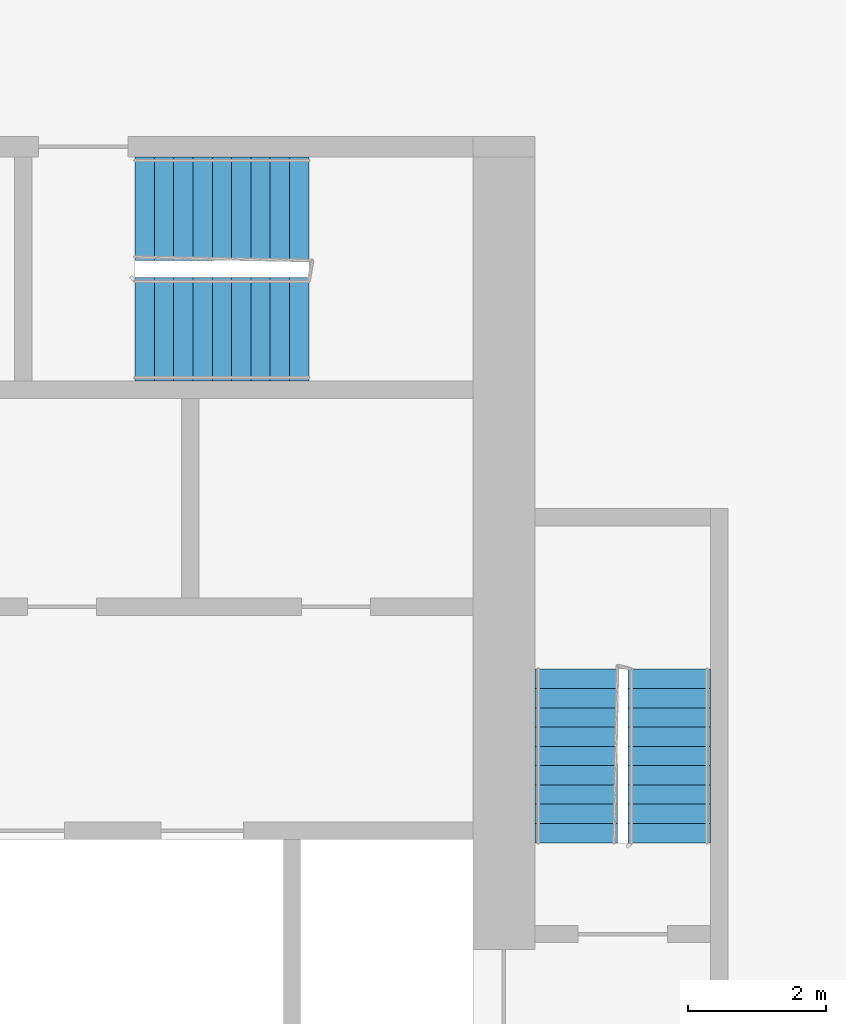
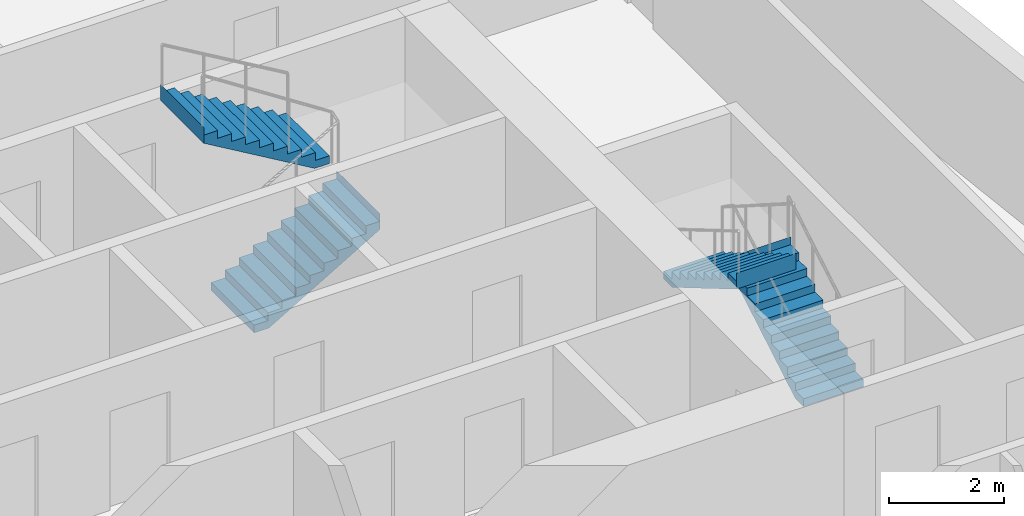
# One storey, part 11 of 12: 4 stair flights, 2 elements without a shape of their own.
"""IFC4 building model written with IfcOpenShell, lengths in metres."""

from ifc_helpers import new_model, si_unit, direction, frame, origin, place, context, subcontext, project, spatial, faceted_brep, material, type_object, element, aggregate, save


model = new_model("IFC4")

# Units and contexts
model_context = context("Model", 3, precision=1e-05, world=origin(), true_north=direction((0.0, 1.0)))
body_context = subcontext(model_context, "Body", "Model", "MODEL_VIEW")
ifc_project = project(units=[si_unit("LENGTHUNIT", "METRE"), si_unit("AREAUNIT", "SQUARE_METRE"), si_unit("VOLUMEUNIT", "CUBIC_METRE"), si_unit("PLANEANGLEUNIT", "RADIAN"), si_unit("MASSUNIT", "GRAM", prefix="KILO")], contexts=[model_context])

# Site, building, storey
site_placement = place(None, origin())
site = spatial("IfcSite", under=ifc_project, at=site_placement, CompositionType="ELEMENT")
building_placement = place(site_placement, origin())
building = spatial("IfcBuilding", under=site, at=building_placement, Name="Kajstack Hotel Tower", CompositionType="ELEMENT")
storey_placement = place(building_placement, frame((0.0, 0.0, 183.39990234375)))
storey = spatial("IfcBuildingStorey", under=building, at=storey_placement, Name="L43", CompositionType="ELEMENT", Elevation=183.39990234375)

# Stair, stair flights
ifc_material = material(Name="Concrete C40/50", Category="concrete")
stair_type_1 = type_object("IfcStairType", Name="Exit stair 1200", PredefinedType="HALF_TURN_STAIR", material=ifc_material)
stair_1_placement = place(storey_placement, origin())
stair_1 = element("IfcStair", 1, at=stair_1_placement, inside=storey, type_object=stair_type_1, Name="L43 stair E1", PredefinedType="HALF_TURN_STAIR")
stair_flight_type_1 = type_object("IfcStairFlightType", Name="Exit stair flight 1200", PredefinedType="STRAIGHT", material=ifc_material)
stair_flight_1_placement = place(storey_placement, frame((33.449951171875, 5.25, 0.0), z_axis=(0.0, 0.0, 1.0), x_axis=(0.0, 1.0, 0.0)))
stair_flight_1 = element("IfcStairFlight", 2, at=stair_flight_1_placement, type_object=stair_flight_type_1, Name="E1 flight 1", NumberOfRisers=10, NumberOfTreads=9, PredefinedType="STRAIGHT", RiserHeight=0.165, TreadLength=0.28, context=body_context, shape_type="Brep", body=[
    faceted_brep([(0.295654296875, -0.60009765625, 0.0), (2.5205078125, -0.60009765625, 1.31103515625), (2.5205078125, -0.60009765625, 1.64990234375), (2.52001953125, -0.60009765625, 1.64990234375), (2.52001953125, -0.60009765625, 1.485107421875), (2.239990234375, -0.60009765625, 1.485107421875), (2.239990234375, -0.60009765625, 1.320068359375), (1.9599609375, -0.60009765625, 1.320068359375), (1.9599609375, -0.60009765625, 1.155029296875), (1.679931640625, -0.60009765625, 1.155029296875), (1.679931640625, -0.60009765625, 0.989990234375), (1.39990234375, -0.60009765625, 0.989990234375), (1.39990234375, -0.60009765625, 0.824951171875), (1.1201171875, -0.60009765625, 0.824951171875), (1.1201171875, -0.60009765625, 0.659912109375), (0.840087890625, -0.60009765625, 0.659912109375), (0.840087890625, -0.60009765625, 0.4951171875), (0.56005859375, -0.60009765625, 0.4951171875), (0.56005859375, -0.60009765625, 0.330078125), (0.280029296875, -0.60009765625, 0.330078125), (0.280029296875, -0.60009765625, 0.1650390625), (-0.00048828125, -0.60009765625, 0.1650390625), (-0.00048828125, -0.60009765625, 0.0), (-0.00048828125, 0.60009765625, 0.0), (-0.00048828125, 0.60009765625, 0.1650390625), (0.280029296875, 0.60009765625, 0.1650390625), (0.280029296875, 0.60009765625, 0.330078125), (0.56005859375, 0.60009765625, 0.330078125), (0.56005859375, 0.60009765625, 0.4951171875), (0.840087890625, 0.60009765625, 0.4951171875), (0.840087890625, 0.60009765625, 0.659912109375), (1.1201171875, 0.60009765625, 0.659912109375), (1.1201171875, 0.60009765625, 0.824951171875), (1.39990234375, 0.60009765625, 0.824951171875), (1.39990234375, 0.60009765625, 0.989990234375), (1.679931640625, 0.60009765625, 0.989990234375), (1.679931640625, 0.60009765625, 1.155029296875), (1.9599609375, 0.60009765625, 1.155029296875), (1.9599609375, 0.60009765625, 1.320068359375), (2.239990234375, 0.60009765625, 1.320068359375), (2.239990234375, 0.60009765625, 1.485107421875), (2.52001953125, 0.60009765625, 1.485107421875), (2.52001953125, 0.60009765625, 1.64990234375), (2.5205078125, 0.60009765625, 1.64990234375), (2.5205078125, 0.60009765625, 1.31103515625), (0.295654296875, 0.60009765625, 0.0), (-0.00048828125, -0.300048828125, 0.1650390625), (-0.00048828125, 0.0, 0.1650390625), (-0.00048828125, 0.300048828125, 0.1650390625), (-0.00048828125, 0.300048828125, 0.0), (-0.00048828125, 0.0, 0.0), (-0.00048828125, -0.300048828125, 0.0), (0.280029296875, -0.300048828125, 0.1650390625), (0.280029296875, 0.0, 0.1650390625), (0.280029296875, 0.300048828125, 0.1650390625), (0.280029296875, -0.300048828125, 0.330078125), (0.280029296875, 0.0, 0.330078125), (0.280029296875, 0.300048828125, 0.330078125), (0.56005859375, -0.300048828125, 0.330078125), (0.56005859375, 0.0, 0.330078125), (0.56005859375, 0.300048828125, 0.330078125), (0.56005859375, -0.300048828125, 0.4951171875), (0.56005859375, 0.0, 0.4951171875), (0.56005859375, 0.300048828125, 0.4951171875), (0.840087890625, -0.300048828125, 0.4951171875), (0.840087890625, 0.0, 0.4951171875), (0.840087890625, 0.300048828125, 0.4951171875), (0.840087890625, -0.300048828125, 0.659912109375), (0.840087890625, 0.0, 0.659912109375), (0.840087890625, 0.300048828125, 0.659912109375), (1.1201171875, -0.300048828125, 0.659912109375), (1.1201171875, 0.0, 0.659912109375), (1.1201171875, 0.300048828125, 0.659912109375), (1.1201171875, -0.300048828125, 0.824951171875), (1.1201171875, 0.0, 0.824951171875), (1.1201171875, 0.300048828125, 0.824951171875), (1.39990234375, -0.300048828125, 0.824951171875), (1.39990234375, 0.0, 0.824951171875), (1.39990234375, 0.300048828125, 0.824951171875), (1.39990234375, -0.300048828125, 0.989990234375), (1.39990234375, 0.0, 0.989990234375), (1.39990234375, 0.300048828125, 0.989990234375), (1.679931640625, -0.300048828125, 0.989990234375), (1.679931640625, 0.0, 0.989990234375), (1.679931640625, 0.300048828125, 0.989990234375), (1.679931640625, -0.300048828125, 1.155029296875), (1.679931640625, 0.0, 1.155029296875), (1.679931640625, 0.300048828125, 1.155029296875), (1.9599609375, -0.300048828125, 1.155029296875), (1.9599609375, 0.0, 1.155029296875), (1.9599609375, 0.300048828125, 1.155029296875), (1.9599609375, -0.300048828125, 1.320068359375), (1.9599609375, 0.0, 1.320068359375), (1.9599609375, 0.300048828125, 1.320068359375), (2.239990234375, -0.300048828125, 1.320068359375), (2.239990234375, 0.0, 1.320068359375), (2.239990234375, 0.300048828125, 1.320068359375), (2.239990234375, -0.300048828125, 1.485107421875), (2.239990234375, 0.0, 1.485107421875), (2.239990234375, 0.300048828125, 1.485107421875), (2.52001953125, -0.300048828125, 1.485107421875), (2.52001953125, 0.0, 1.485107421875), (2.52001953125, 0.300048828125, 1.485107421875), (2.52001953125, -0.300048828125, 1.64990234375), (2.52001953125, 0.0, 1.64990234375), (2.52001953125, 0.300048828125, 1.64990234375), (2.5205078125, -0.300048828125, 1.64990234375), (2.5205078125, 0.0, 1.64990234375), (2.5205078125, 0.300048828125, 1.64990234375), (2.5205078125, -0.300048828125, 1.31103515625), (2.5205078125, 0.0, 1.31103515625), (2.5205078125, 0.300048828125, 1.31103515625), (0.295654296875, -0.300048828125, 0.0), (0.295654296875, 0.0, 0.0), (0.295654296875, 0.300048828125, 0.0)], [[[0, 1, 2, 3, 4, 5, 6, 7, 8, 9, 10, 11, 12, 13, 14, 15, 16, 17, 18, 19, 20, 21, 22]], [[23, 24, 25, 26, 27, 28, 29, 30, 31, 32, 33, 34, 35, 36, 37, 38, 39, 40, 41, 42, 43, 44, 45]], [[21, 46, 47, 48, 24, 23, 49, 50, 51, 22]], [[20, 52, 53, 54, 25, 24, 48, 47, 46, 21]], [[19, 55, 56, 57, 26, 25, 54, 53, 52, 20]], [[18, 58, 59, 60, 27, 26, 57, 56, 55, 19]], [[17, 61, 62, 63, 28, 27, 60, 59, 58, 18]], [[16, 64, 65, 66, 29, 28, 63, 62, 61, 17]], [[15, 67, 68, 69, 30, 29, 66, 65, 64, 16]], [[14, 70, 71, 72, 31, 30, 69, 68, 67, 15]], [[13, 73, 74, 75, 32, 31, 72, 71, 70, 14]], [[12, 76, 77, 78, 33, 32, 75, 74, 73, 13]], [[11, 79, 80, 81, 34, 33, 78, 77, 76, 12]], [[10, 82, 83, 84, 35, 34, 81, 80, 79, 11]], [[9, 85, 86, 87, 36, 35, 84, 83, 82, 10]], [[8, 88, 89, 90, 37, 36, 87, 86, 85, 9]], [[7, 91, 92, 93, 38, 37, 90, 89, 88, 8]], [[6, 94, 95, 96, 39, 38, 93, 92, 91, 7]], [[5, 97, 98, 99, 40, 39, 96, 95, 94, 6]], [[4, 100, 101, 102, 41, 40, 99, 98, 97, 5]], [[3, 103, 104, 105, 42, 41, 102, 101, 100, 4]], [[2, 106, 107, 108, 43, 42, 105, 104, 103, 3]], [[1, 109, 110, 111, 44, 43, 108, 107, 106, 2]], [[0, 112, 113, 114, 45, 44, 111, 110, 109, 1]], [[22, 51, 50, 49, 23, 45, 114, 113, 112, 0]]]),
])
stair_flight_2_placement = place(storey_placement, frame((32.10009765625, 7.77001953125, 1.650146484375), z_axis=(0.0, 0.0, 1.0), x_axis=(0.0, -1.0, 0.0)))
stair_flight_2 = element("IfcStairFlight", 3, at=stair_flight_2_placement, type_object=stair_flight_type_1, Name="E1 flight 2", NumberOfRisers=10, NumberOfTreads=9, PredefinedType="STRAIGHT", RiserHeight=0.165, TreadLength=0.28, context=body_context, shape_type="Brep", body=[
    faceted_brep([(0.295654296875, -0.60009765625, 0.0), (2.5205078125, -0.60009765625, 1.31103515625), (2.5205078125, -0.60009765625, 1.64990234375), (2.52001953125, -0.60009765625, 1.64990234375), (2.52001953125, -0.60009765625, 1.485107421875), (2.239990234375, -0.60009765625, 1.485107421875), (2.239990234375, -0.60009765625, 1.320068359375), (1.9599609375, -0.60009765625, 1.320068359375), (1.9599609375, -0.60009765625, 1.155029296875), (1.679931640625, -0.60009765625, 1.155029296875), (1.679931640625, -0.60009765625, 0.989990234375), (1.39990234375, -0.60009765625, 0.989990234375), (1.39990234375, -0.60009765625, 0.824951171875), (1.1201171875, -0.60009765625, 0.824951171875), (1.1201171875, -0.60009765625, 0.659912109375), (0.840087890625, -0.60009765625, 0.659912109375), (0.840087890625, -0.60009765625, 0.4951171875), (0.56005859375, -0.60009765625, 0.4951171875), (0.56005859375, -0.60009765625, 0.330078125), (0.280029296875, -0.60009765625, 0.330078125), (0.280029296875, -0.60009765625, 0.1650390625), (-0.00048828125, -0.60009765625, 0.1650390625), (-0.00048828125, -0.60009765625, 0.0), (-0.00048828125, 0.60009765625, 0.0), (-0.00048828125, 0.60009765625, 0.1650390625), (0.280029296875, 0.60009765625, 0.1650390625), (0.280029296875, 0.60009765625, 0.330078125), (0.56005859375, 0.60009765625, 0.330078125), (0.56005859375, 0.60009765625, 0.4951171875), (0.840087890625, 0.60009765625, 0.4951171875), (0.840087890625, 0.60009765625, 0.659912109375), (1.1201171875, 0.60009765625, 0.659912109375), (1.1201171875, 0.60009765625, 0.824951171875), (1.39990234375, 0.60009765625, 0.824951171875), (1.39990234375, 0.60009765625, 0.989990234375), (1.679931640625, 0.60009765625, 0.989990234375), (1.679931640625, 0.60009765625, 1.155029296875), (1.9599609375, 0.60009765625, 1.155029296875), (1.9599609375, 0.60009765625, 1.320068359375), (2.239990234375, 0.60009765625, 1.320068359375), (2.239990234375, 0.60009765625, 1.485107421875), (2.52001953125, 0.60009765625, 1.485107421875), (2.52001953125, 0.60009765625, 1.64990234375), (2.5205078125, 0.60009765625, 1.64990234375), (2.5205078125, 0.60009765625, 1.31103515625), (0.295654296875, 0.60009765625, 0.0), (-0.00048828125, -0.300048828125, 0.1650390625), (-0.00048828125, 0.0, 0.1650390625), (-0.00048828125, 0.300048828125, 0.1650390625), (-0.00048828125, 0.300048828125, 0.0), (-0.00048828125, 0.0, 0.0), (-0.00048828125, -0.300048828125, 0.0), (0.280029296875, -0.300048828125, 0.1650390625), (0.280029296875, 0.0, 0.1650390625), (0.280029296875, 0.300048828125, 0.1650390625), (0.280029296875, -0.300048828125, 0.330078125), (0.280029296875, 0.0, 0.330078125), (0.280029296875, 0.300048828125, 0.330078125), (0.56005859375, -0.300048828125, 0.330078125), (0.56005859375, 0.0, 0.330078125), (0.56005859375, 0.300048828125, 0.330078125), (0.56005859375, -0.300048828125, 0.4951171875), (0.56005859375, 0.0, 0.4951171875), (0.56005859375, 0.300048828125, 0.4951171875), (0.840087890625, -0.300048828125, 0.4951171875), (0.840087890625, 0.0, 0.4951171875), (0.840087890625, 0.300048828125, 0.4951171875), (0.840087890625, -0.300048828125, 0.659912109375), (0.840087890625, 0.0, 0.659912109375), (0.840087890625, 0.300048828125, 0.659912109375), (1.1201171875, -0.300048828125, 0.659912109375), (1.1201171875, 0.0, 0.659912109375), (1.1201171875, 0.300048828125, 0.659912109375), (1.1201171875, -0.300048828125, 0.824951171875), (1.1201171875, 0.0, 0.824951171875), (1.1201171875, 0.300048828125, 0.824951171875), (1.39990234375, -0.300048828125, 0.824951171875), (1.39990234375, 0.0, 0.824951171875), (1.39990234375, 0.300048828125, 0.824951171875), (1.39990234375, -0.300048828125, 0.989990234375), (1.39990234375, 0.0, 0.989990234375), (1.39990234375, 0.300048828125, 0.989990234375), (1.679931640625, -0.300048828125, 0.989990234375), (1.679931640625, 0.0, 0.989990234375), (1.679931640625, 0.300048828125, 0.989990234375), (1.679931640625, -0.300048828125, 1.155029296875), (1.679931640625, 0.0, 1.155029296875), (1.679931640625, 0.300048828125, 1.155029296875), (1.9599609375, -0.300048828125, 1.155029296875), (1.9599609375, 0.0, 1.155029296875), (1.9599609375, 0.300048828125, 1.155029296875), (1.9599609375, -0.300048828125, 1.320068359375), (1.9599609375, 0.0, 1.320068359375), (1.9599609375, 0.300048828125, 1.320068359375), (2.239990234375, -0.300048828125, 1.320068359375), (2.239990234375, 0.0, 1.320068359375), (2.239990234375, 0.300048828125, 1.320068359375), (2.239990234375, -0.300048828125, 1.485107421875), (2.239990234375, 0.0, 1.485107421875), (2.239990234375, 0.300048828125, 1.485107421875), (2.52001953125, -0.300048828125, 1.485107421875), (2.52001953125, 0.0, 1.485107421875), (2.52001953125, 0.300048828125, 1.485107421875), (2.52001953125, -0.300048828125, 1.64990234375), (2.52001953125, 0.0, 1.64990234375), (2.52001953125, 0.300048828125, 1.64990234375), (2.5205078125, -0.300048828125, 1.64990234375), (2.5205078125, 0.0, 1.64990234375), (2.5205078125, 0.300048828125, 1.64990234375), (2.5205078125, -0.300048828125, 1.31103515625), (2.5205078125, 0.0, 1.31103515625), (2.5205078125, 0.300048828125, 1.31103515625), (0.295654296875, -0.300048828125, 0.0), (0.295654296875, 0.0, 0.0), (0.295654296875, 0.300048828125, 0.0)], [[[0, 1, 2, 3, 4, 5, 6, 7, 8, 9, 10, 11, 12, 13, 14, 15, 16, 17, 18, 19, 20, 21, 22]], [[23, 24, 25, 26, 27, 28, 29, 30, 31, 32, 33, 34, 35, 36, 37, 38, 39, 40, 41, 42, 43, 44, 45]], [[21, 46, 47, 48, 24, 23, 49, 50, 51, 22]], [[20, 52, 53, 54, 25, 24, 48, 47, 46, 21]], [[19, 55, 56, 57, 26, 25, 54, 53, 52, 20]], [[18, 58, 59, 60, 27, 26, 57, 56, 55, 19]], [[17, 61, 62, 63, 28, 27, 60, 59, 58, 18]], [[16, 64, 65, 66, 29, 28, 63, 62, 61, 17]], [[15, 67, 68, 69, 30, 29, 66, 65, 64, 16]], [[14, 70, 71, 72, 31, 30, 69, 68, 67, 15]], [[13, 73, 74, 75, 32, 31, 72, 71, 70, 14]], [[12, 76, 77, 78, 33, 32, 75, 74, 73, 13]], [[11, 79, 80, 81, 34, 33, 78, 77, 76, 12]], [[10, 82, 83, 84, 35, 34, 81, 80, 79, 11]], [[9, 85, 86, 87, 36, 35, 84, 83, 82, 10]], [[8, 88, 89, 90, 37, 36, 87, 86, 85, 9]], [[7, 91, 92, 93, 38, 37, 90, 89, 88, 8]], [[6, 94, 95, 96, 39, 38, 93, 92, 91, 7]], [[5, 97, 98, 99, 40, 39, 96, 95, 94, 6]], [[4, 100, 101, 102, 41, 40, 99, 98, 97, 5]], [[3, 103, 104, 105, 42, 41, 102, 101, 100, 4]], [[2, 106, 107, 108, 43, 42, 105, 104, 103, 3]], [[1, 109, 110, 111, 44, 43, 108, 107, 106, 2]], [[0, 112, 113, 114, 45, 44, 111, 110, 109, 1]], [[22, 51, 50, 49, 23, 45, 114, 113, 112, 0]]]),
])
aggregate(stair_1, [stair_flight_1, stair_flight_2])

stair_type_2 = type_object("IfcStairType", Name="Exit stair 1500", PredefinedType="HALF_TURN_STAIR", material=ifc_material)
stair_2_placement = place(storey_placement, origin())
stair_2 = element("IfcStair", 4, at=stair_2_placement, inside=storey, type_object=stair_type_2, Name="L43 stair E3", PredefinedType="HALF_TURN_STAIR")
stair_flight_type_2 = type_object("IfcStairFlightType", Name="Exit stair flight 1500", PredefinedType="STRAIGHT", material=ifc_material)
stair_flight_3_placement = place(storey_placement, frame((25.699951171875, 12.699951171875, 0.0), z_axis=(0.0, 0.0, 1.0), x_axis=(1.0, 0.0, 0.0)))
stair_flight_3 = element("IfcStairFlight", 5, at=stair_flight_3_placement, type_object=stair_flight_type_2, Name="E3 flight 1", NumberOfRisers=10, NumberOfTreads=9, PredefinedType="STRAIGHT", RiserHeight=0.165, TreadLength=0.28, context=body_context, shape_type="Brep", body=[
    faceted_brep([(0.295654296875, -0.75, 0.0), (2.5205078125, -0.75, 1.31103515625), (2.5205078125, -0.75, 1.64990234375), (2.52001953125, -0.75, 1.64990234375), (2.52001953125, -0.75, 1.485107421875), (2.239990234375, -0.75, 1.485107421875), (2.239990234375, -0.75, 1.320068359375), (1.9599609375, -0.75, 1.320068359375), (1.9599609375, -0.75, 1.155029296875), (1.679931640625, -0.75, 1.155029296875), (1.679931640625, -0.75, 0.989990234375), (1.39990234375, -0.75, 0.989990234375), (1.39990234375, -0.75, 0.824951171875), (1.1201171875, -0.75, 0.824951171875), (1.1201171875, -0.75, 0.659912109375), (0.840087890625, -0.75, 0.659912109375), (0.840087890625, -0.75, 0.4951171875), (0.56005859375, -0.75, 0.4951171875), (0.56005859375, -0.75, 0.330078125), (0.280029296875, -0.75, 0.330078125), (0.280029296875, -0.75, 0.1650390625), (-0.00048828125, -0.75, 0.1650390625), (-0.00048828125, -0.75, 0.0), (-0.00048828125, 0.75, 0.0), (-0.00048828125, 0.75, 0.1650390625), (0.280029296875, 0.75, 0.1650390625), (0.280029296875, 0.75, 0.330078125), (0.56005859375, 0.75, 0.330078125), (0.56005859375, 0.75, 0.4951171875), (0.840087890625, 0.75, 0.4951171875), (0.840087890625, 0.75, 0.659912109375), (1.1201171875, 0.75, 0.659912109375), (1.1201171875, 0.75, 0.824951171875), (1.39990234375, 0.75, 0.824951171875), (1.39990234375, 0.75, 0.989990234375), (1.679931640625, 0.75, 0.989990234375), (1.679931640625, 0.75, 1.155029296875), (1.9599609375, 0.75, 1.155029296875), (1.9599609375, 0.75, 1.320068359375), (2.239990234375, 0.75, 1.320068359375), (2.239990234375, 0.75, 1.485107421875), (2.52001953125, 0.75, 1.485107421875), (2.52001953125, 0.75, 1.64990234375), (2.5205078125, 0.75, 1.64990234375), (2.5205078125, 0.75, 1.31103515625), (0.295654296875, 0.75, 0.0), (-0.00048828125, -0.375, 0.1650390625), (-0.00048828125, 0.0, 0.1650390625), (-0.00048828125, 0.375, 0.1650390625), (-0.00048828125, 0.375, 0.0), (-0.00048828125, 0.0, 0.0), (-0.00048828125, -0.375, 0.0), (0.280029296875, -0.375, 0.1650390625), (0.280029296875, 0.0, 0.1650390625), (0.280029296875, 0.375, 0.1650390625), (0.280029296875, -0.375, 0.330078125), (0.280029296875, 0.0, 0.330078125), (0.280029296875, 0.375, 0.330078125), (0.56005859375, -0.375, 0.330078125), (0.56005859375, 0.0, 0.330078125), (0.56005859375, 0.375, 0.330078125), (0.56005859375, -0.375, 0.4951171875), (0.56005859375, 0.0, 0.4951171875), (0.56005859375, 0.375, 0.4951171875), (0.840087890625, -0.375, 0.4951171875), (0.840087890625, 0.0, 0.4951171875), (0.840087890625, 0.375, 0.4951171875), (0.840087890625, -0.375, 0.659912109375), (0.840087890625, 0.0, 0.659912109375), (0.840087890625, 0.375, 0.659912109375), (1.1201171875, -0.375, 0.659912109375), (1.1201171875, 0.0, 0.659912109375), (1.1201171875, 0.375, 0.659912109375), (1.1201171875, -0.375, 0.824951171875), (1.1201171875, 0.0, 0.824951171875), (1.1201171875, 0.375, 0.824951171875), (1.39990234375, -0.375, 0.824951171875), (1.39990234375, 0.0, 0.824951171875), (1.39990234375, 0.375, 0.824951171875), (1.39990234375, -0.375, 0.989990234375), (1.39990234375, 0.0, 0.989990234375), (1.39990234375, 0.375, 0.989990234375), (1.679931640625, -0.375, 0.989990234375), (1.679931640625, 0.0, 0.989990234375), (1.679931640625, 0.375, 0.989990234375), (1.679931640625, -0.375, 1.155029296875), (1.679931640625, 0.0, 1.155029296875), (1.679931640625, 0.375, 1.155029296875), (1.9599609375, -0.375, 1.155029296875), (1.9599609375, 0.0, 1.155029296875), (1.9599609375, 0.375, 1.155029296875), (1.9599609375, -0.375, 1.320068359375), (1.9599609375, 0.0, 1.320068359375), (1.9599609375, 0.375, 1.320068359375), (2.239990234375, -0.375, 1.320068359375), (2.239990234375, 0.0, 1.320068359375), (2.239990234375, 0.375, 1.320068359375), (2.239990234375, -0.375, 1.485107421875), (2.239990234375, 0.0, 1.485107421875), (2.239990234375, 0.375, 1.485107421875), (2.52001953125, -0.375, 1.485107421875), (2.52001953125, 0.0, 1.485107421875), (2.52001953125, 0.375, 1.485107421875), (2.52001953125, -0.375, 1.64990234375), (2.52001953125, 0.0, 1.64990234375), (2.52001953125, 0.375, 1.64990234375), (2.5205078125, -0.375, 1.64990234375), (2.5205078125, 0.0, 1.64990234375), (2.5205078125, 0.375, 1.64990234375), (2.5205078125, -0.375, 1.31103515625), (2.5205078125, 0.0, 1.31103515625), (2.5205078125, 0.375, 1.31103515625), (0.295654296875, -0.375, 0.0), (0.295654296875, 0.0, 0.0), (0.295654296875, 0.375, 0.0)], [[[0, 1, 2, 3, 4, 5, 6, 7, 8, 9, 10, 11, 12, 13, 14, 15, 16, 17, 18, 19, 20, 21, 22]], [[23, 24, 25, 26, 27, 28, 29, 30, 31, 32, 33, 34, 35, 36, 37, 38, 39, 40, 41, 42, 43, 44, 45]], [[21, 46, 47, 48, 24, 23, 49, 50, 51, 22]], [[20, 52, 53, 54, 25, 24, 48, 47, 46, 21]], [[19, 55, 56, 57, 26, 25, 54, 53, 52, 20]], [[18, 58, 59, 60, 27, 26, 57, 56, 55, 19]], [[17, 61, 62, 63, 28, 27, 60, 59, 58, 18]], [[16, 64, 65, 66, 29, 28, 63, 62, 61, 17]], [[15, 67, 68, 69, 30, 29, 66, 65, 64, 16]], [[14, 70, 71, 72, 31, 30, 69, 68, 67, 15]], [[13, 73, 74, 75, 32, 31, 72, 71, 70, 14]], [[12, 76, 77, 78, 33, 32, 75, 74, 73, 13]], [[11, 79, 80, 81, 34, 33, 78, 77, 76, 12]], [[10, 82, 83, 84, 35, 34, 81, 80, 79, 11]], [[9, 85, 86, 87, 36, 35, 84, 83, 82, 10]], [[8, 88, 89, 90, 37, 36, 87, 86, 85, 9]], [[7, 91, 92, 93, 38, 37, 90, 89, 88, 8]], [[6, 94, 95, 96, 39, 38, 93, 92, 91, 7]], [[5, 97, 98, 99, 40, 39, 96, 95, 94, 6]], [[4, 100, 101, 102, 41, 40, 99, 98, 97, 5]], [[3, 103, 104, 105, 42, 41, 102, 101, 100, 4]], [[2, 106, 107, 108, 43, 42, 105, 104, 103, 3]], [[1, 109, 110, 111, 44, 43, 108, 107, 106, 2]], [[0, 112, 113, 114, 45, 44, 111, 110, 109, 1]], [[22, 51, 50, 49, 23, 45, 114, 113, 112, 0]]]),
])
stair_flight_4_placement = place(storey_placement, frame((28.219970703125, 14.449951171875, 1.650146484375), z_axis=(0.0, 0.0, 1.0), x_axis=(-1.0, 0.0, 0.0)))
stair_flight_4 = element("IfcStairFlight", 6, at=stair_flight_4_placement, type_object=stair_flight_type_2, Name="E3 flight 2", NumberOfRisers=10, NumberOfTreads=9, PredefinedType="STRAIGHT", RiserHeight=0.165, TreadLength=0.28, context=body_context, shape_type="Brep", body=[
    faceted_brep([(0.295654296875, -0.75, 0.0), (2.5205078125, -0.75, 1.31103515625), (2.5205078125, -0.75, 1.64990234375), (2.52001953125, -0.75, 1.64990234375), (2.52001953125, -0.75, 1.485107421875), (2.239990234375, -0.75, 1.485107421875), (2.239990234375, -0.75, 1.320068359375), (1.9599609375, -0.75, 1.320068359375), (1.9599609375, -0.75, 1.155029296875), (1.679931640625, -0.75, 1.155029296875), (1.679931640625, -0.75, 0.989990234375), (1.39990234375, -0.75, 0.989990234375), (1.39990234375, -0.75, 0.824951171875), (1.1201171875, -0.75, 0.824951171875), (1.1201171875, -0.75, 0.659912109375), (0.840087890625, -0.75, 0.659912109375), (0.840087890625, -0.75, 0.4951171875), (0.56005859375, -0.75, 0.4951171875), (0.56005859375, -0.75, 0.330078125), (0.280029296875, -0.75, 0.330078125), (0.280029296875, -0.75, 0.1650390625), (-0.00048828125, -0.75, 0.1650390625), (-0.00048828125, -0.75, 0.0), (-0.00048828125, 0.75, 0.0), (-0.00048828125, 0.75, 0.1650390625), (0.280029296875, 0.75, 0.1650390625), (0.280029296875, 0.75, 0.330078125), (0.56005859375, 0.75, 0.330078125), (0.56005859375, 0.75, 0.4951171875), (0.840087890625, 0.75, 0.4951171875), (0.840087890625, 0.75, 0.659912109375), (1.1201171875, 0.75, 0.659912109375), (1.1201171875, 0.75, 0.824951171875), (1.39990234375, 0.75, 0.824951171875), (1.39990234375, 0.75, 0.989990234375), (1.679931640625, 0.75, 0.989990234375), (1.679931640625, 0.75, 1.155029296875), (1.9599609375, 0.75, 1.155029296875), (1.9599609375, 0.75, 1.320068359375), (2.239990234375, 0.75, 1.320068359375), (2.239990234375, 0.75, 1.485107421875), (2.52001953125, 0.75, 1.485107421875), (2.52001953125, 0.75, 1.64990234375), (2.5205078125, 0.75, 1.64990234375), (2.5205078125, 0.75, 1.31103515625), (0.295654296875, 0.75, 0.0), (-0.00048828125, -0.375, 0.1650390625), (-0.00048828125, 0.0, 0.1650390625), (-0.00048828125, 0.375, 0.1650390625), (-0.00048828125, 0.375, 0.0), (-0.00048828125, 0.0, 0.0), (-0.00048828125, -0.375, 0.0), (0.280029296875, -0.375, 0.1650390625), (0.280029296875, 0.0, 0.1650390625), (0.280029296875, 0.375, 0.1650390625), (0.280029296875, -0.375, 0.330078125), (0.280029296875, 0.0, 0.330078125), (0.280029296875, 0.375, 0.330078125), (0.56005859375, -0.375, 0.330078125), (0.56005859375, 0.0, 0.330078125), (0.56005859375, 0.375, 0.330078125), (0.56005859375, -0.375, 0.4951171875), (0.56005859375, 0.0, 0.4951171875), (0.56005859375, 0.375, 0.4951171875), (0.840087890625, -0.375, 0.4951171875), (0.840087890625, 0.0, 0.4951171875), (0.840087890625, 0.375, 0.4951171875), (0.840087890625, -0.375, 0.659912109375), (0.840087890625, 0.0, 0.659912109375), (0.840087890625, 0.375, 0.659912109375), (1.1201171875, -0.375, 0.659912109375), (1.1201171875, 0.0, 0.659912109375), (1.1201171875, 0.375, 0.659912109375), (1.1201171875, -0.375, 0.824951171875), (1.1201171875, 0.0, 0.824951171875), (1.1201171875, 0.375, 0.824951171875), (1.39990234375, -0.375, 0.824951171875), (1.39990234375, 0.0, 0.824951171875), (1.39990234375, 0.375, 0.824951171875), (1.39990234375, -0.375, 0.989990234375), (1.39990234375, 0.0, 0.989990234375), (1.39990234375, 0.375, 0.989990234375), (1.679931640625, -0.375, 0.989990234375), (1.679931640625, 0.0, 0.989990234375), (1.679931640625, 0.375, 0.989990234375), (1.679931640625, -0.375, 1.155029296875), (1.679931640625, 0.0, 1.155029296875), (1.679931640625, 0.375, 1.155029296875), (1.9599609375, -0.375, 1.155029296875), (1.9599609375, 0.0, 1.155029296875), (1.9599609375, 0.375, 1.155029296875), (1.9599609375, -0.375, 1.320068359375), (1.9599609375, 0.0, 1.320068359375), (1.9599609375, 0.375, 1.320068359375), (2.239990234375, -0.375, 1.320068359375), (2.239990234375, 0.0, 1.320068359375), (2.239990234375, 0.375, 1.320068359375), (2.239990234375, -0.375, 1.485107421875), (2.239990234375, 0.0, 1.485107421875), (2.239990234375, 0.375, 1.485107421875), (2.52001953125, -0.375, 1.485107421875), (2.52001953125, 0.0, 1.485107421875), (2.52001953125, 0.375, 1.485107421875), (2.52001953125, -0.375, 1.64990234375), (2.52001953125, 0.0, 1.64990234375), (2.52001953125, 0.375, 1.64990234375), (2.5205078125, -0.375, 1.64990234375), (2.5205078125, 0.0, 1.64990234375), (2.5205078125, 0.375, 1.64990234375), (2.5205078125, -0.375, 1.31103515625), (2.5205078125, 0.0, 1.31103515625), (2.5205078125, 0.375, 1.31103515625), (0.295654296875, -0.375, 0.0), (0.295654296875, 0.0, 0.0), (0.295654296875, 0.375, 0.0)], [[[0, 1, 2, 3, 4, 5, 6, 7, 8, 9, 10, 11, 12, 13, 14, 15, 16, 17, 18, 19, 20, 21, 22]], [[23, 24, 25, 26, 27, 28, 29, 30, 31, 32, 33, 34, 35, 36, 37, 38, 39, 40, 41, 42, 43, 44, 45]], [[21, 46, 47, 48, 24, 23, 49, 50, 51, 22]], [[20, 52, 53, 54, 25, 24, 48, 47, 46, 21]], [[19, 55, 56, 57, 26, 25, 54, 53, 52, 20]], [[18, 58, 59, 60, 27, 26, 57, 56, 55, 19]], [[17, 61, 62, 63, 28, 27, 60, 59, 58, 18]], [[16, 64, 65, 66, 29, 28, 63, 62, 61, 17]], [[15, 67, 68, 69, 30, 29, 66, 65, 64, 16]], [[14, 70, 71, 72, 31, 30, 69, 68, 67, 15]], [[13, 73, 74, 75, 32, 31, 72, 71, 70, 14]], [[12, 76, 77, 78, 33, 32, 75, 74, 73, 13]], [[11, 79, 80, 81, 34, 33, 78, 77, 76, 12]], [[10, 82, 83, 84, 35, 34, 81, 80, 79, 11]], [[9, 85, 86, 87, 36, 35, 84, 83, 82, 10]], [[8, 88, 89, 90, 37, 36, 87, 86, 85, 9]], [[7, 91, 92, 93, 38, 37, 90, 89, 88, 8]], [[6, 94, 95, 96, 39, 38, 93, 92, 91, 7]], [[5, 97, 98, 99, 40, 39, 96, 95, 94, 6]], [[4, 100, 101, 102, 41, 40, 99, 98, 97, 5]], [[3, 103, 104, 105, 42, 41, 102, 101, 100, 4]], [[2, 106, 107, 108, 43, 42, 105, 104, 103, 3]], [[1, 109, 110, 111, 44, 43, 108, 107, 106, 2]], [[0, 112, 113, 114, 45, 44, 111, 110, 109, 1]], [[22, 51, 50, 49, 23, 45, 114, 113, 112, 0]]]),
])
aggregate(stair_2, [stair_flight_3, stair_flight_4])

save(model, "model.ifc")
